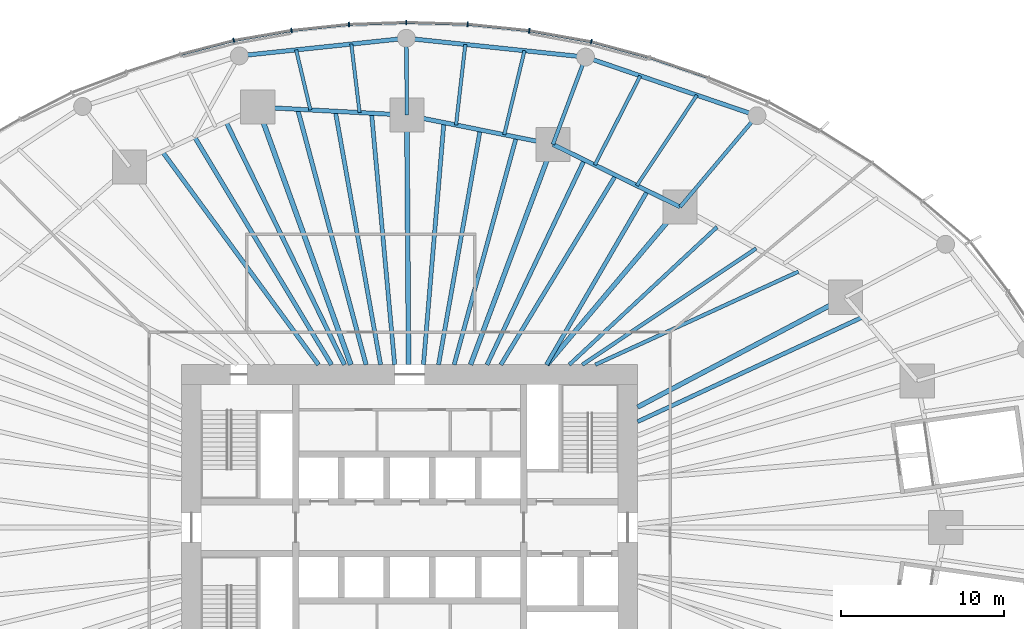
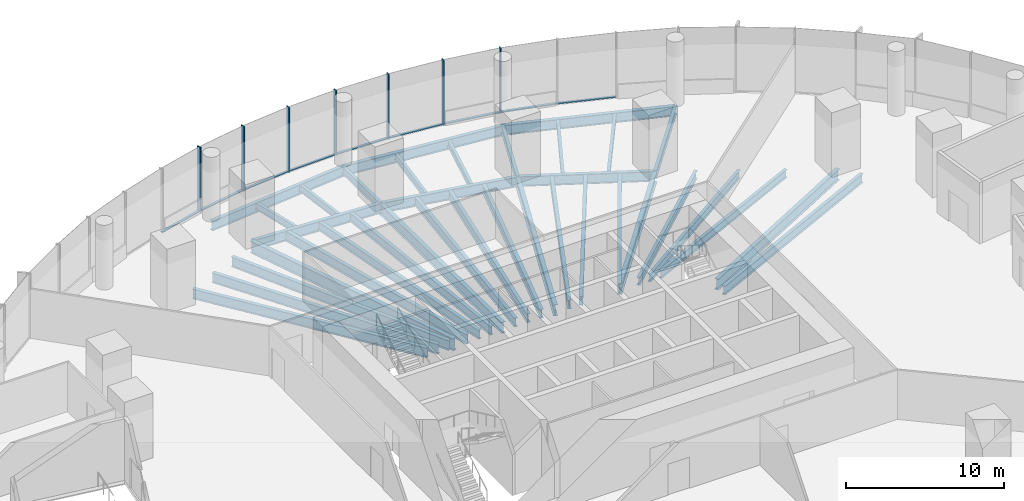
# One storey, part 6 of 27: 36 beams, 16 members, 4 elements without a shape of their own.
"""IFC4 building model written with IfcOpenShell, lengths in metres."""

import ifcopenshell
import ifcopenshell.guid

model = None  # the IFC model being written
_history = None  # IfcOwnerHistory: only IFC2X3 demands one
_inside = {}  # id of a spatial element -> (the spatial element, [elements in it])
_under = {}  # id of a project, library or spatial element -> (it, [spatial elements below it])
_declared = {}  # id of a project -> (the project, [libraries it declares])
_typed = {}  # id of a type object -> (the type object, [elements of that type])
_made_of = {}  # id of a material, layer set ... -> (it, [elements and type objects made of it])


def new_model(schema):
    """Start an empty IFC model of exactly this schema.

    Asked for "IFC4X3", IfcOpenShell would pick the latest addendum, in which some entities
    have other attributes; the version numbers below select the first issue.
    IFC2X3 requires an IfcOwnerHistory on every rooted entity: one is made here for all.
    """
    global model, _history
    if schema == "IFC4X3":
        model = ifcopenshell.file(schema_version=(4, 3, 0, 0))
    else:
        model = ifcopenshell.file(schema=schema)
    _inside.clear()
    _under.clear()
    _declared.clear()
    _typed.clear()
    _made_of.clear()
    _history = None
    if model.schema == "IFC2X3":
        org = make("IfcOrganization", Name="unknown")
        user = make(
            "IfcPersonAndOrganization",
            ThePerson=make("IfcPerson", FamilyName="unknown"),
            TheOrganization=org,
        )
        app = make(
            "IfcApplication",
            ApplicationDeveloper=org,
            Version="unknown",
            ApplicationFullName="unknown",
            ApplicationIdentifier="unknown",
        )
        _history = make(
            "IfcOwnerHistory",
            OwningUser=user,
            OwningApplication=app,
            ChangeAction="ADDED",
            CreationDate=0,
        )
    return model


def make(cls, **values):
    """One entity of the class cls with the attributes given. An attribute that is None is left unset."""
    return model.create_entity(
        cls, **{name: value for name, value in values.items() if value is not None}
    )


def rooted(cls, **values):
    """An entity with a GlobalId (a new one), such as an element, a storey or a relation."""
    return make(cls, GlobalId=ifcopenshell.guid.new(), OwnerHistory=_history, **values)


def si_unit(unit_type, name, prefix=None):
    """IfcSIUnit, for example si_unit("LENGTHUNIT", "METRE", prefix="MILLI")."""
    return make("IfcSIUnit", UnitType=unit_type, Prefix=prefix, Name=name)


def assignment(units):
    """IfcUnitAssignment: the units of a project."""
    return None if units is None else make("IfcUnitAssignment", Units=units)


def point(xyz):
    """IfcCartesianPoint."""
    return None if xyz is None else make("IfcCartesianPoint", Coordinates=xyz)


def direction(xyz):
    """IfcDirection."""
    return None if xyz is None else make("IfcDirection", DirectionRatios=xyz)


def frame(location, z_axis=None, x_axis=None):
    """IfcAxis2Placement3D, a coordinate frame: its origin and axes. An axis left out is left unset."""
    return make(
        "IfcAxis2Placement3D",
        Location=point(location),
        Axis=direction(z_axis),
        RefDirection=direction(x_axis),
    )


def frame_2d(location, x_axis=None):
    """IfcAxis2Placement2D, a coordinate frame in the plane: its origin and x axis."""
    return make(
        "IfcAxis2Placement2D", Location=point(location), RefDirection=direction(x_axis)
    )


def origin():
    """The frame at (0, 0, 0) with its axes left unset."""
    return frame((0.0, 0.0, 0.0))


def origin_2d():
    """The frame at (0, 0) in the plane with its x axis left unset."""
    return frame_2d((0.0, 0.0))


def place(relative_to, where):
    """IfcLocalPlacement: puts the frame where relative to a parent placement (None: the world)."""
    return make(
        "IfcLocalPlacement", PlacementRelTo=relative_to, RelativePlacement=where
    )


def context(
    kind, dimensions, precision=None, world=None, true_north=None, identifier=None
):
    """IfcGeometricRepresentationContext, for example the 3D "Model" context."""
    return make(
        "IfcGeometricRepresentationContext",
        ContextIdentifier=identifier,
        ContextType=kind,
        CoordinateSpaceDimension=dimensions,
        Precision=precision,
        WorldCoordinateSystem=world,
        TrueNorth=true_north,
    )


def subcontext(parent, identifier, kind, view, scale=None):
    """IfcGeometricRepresentationSubContext, for example "Body" below "Model"."""
    return make(
        "IfcGeometricRepresentationSubContext",
        ContextIdentifier=identifier,
        ContextType=kind,
        ParentContext=parent,
        TargetScale=scale,
        TargetView=view,
    )


def project(units=None, contexts=None):
    """IfcProject with its units and contexts."""
    return rooted(
        "IfcProject",
        Name="project",
        RepresentationContexts=contexts,
        UnitsInContext=assignment(units),
    )


def spatial(cls, under=None, at=None, **own):
    """A site, building, storey or space (cls), placed at a placement, below another one or the project."""
    s = rooted(cls, ObjectPlacement=at, **own)
    if under is not None:
        _under.setdefault(under.id(), (under, []))[1].append(s)
    return s


def profile(cls, at=None, kind="AREA", **sizes):
    """A parametric profile (cls). Its sizes go by their IFC names, for example OverallWidth=200.0."""
    return make(cls, ProfileType=kind, Position=at, **sizes)


def rectangle(**sizes):
    """IfcRectangleProfileDef."""
    return profile("IfcRectangleProfileDef", **sizes)


def i_section(**sizes):
    """IfcIShapeProfileDef."""
    return profile("IfcIShapeProfileDef", **sizes)


def extrude(swept, where, along, depth):
    """IfcExtrudedAreaSolid: the profile swept, set in the frame where, extruded along a direction by depth."""
    return make(
        "IfcExtrudedAreaSolid",
        SweptArea=swept,
        Position=where,
        ExtrudedDirection=direction(along),
        Depth=depth,
    )


def shape(context_of_items, identifier, shape_type, items):
    """IfcShapeRepresentation: the items that make up one representation, for example the "Body"."""
    return make(
        "IfcShapeRepresentation",
        ContextOfItems=context_of_items,
        RepresentationIdentifier=identifier,
        RepresentationType=shape_type,
        Items=items,
    )


def material(Name=None, Category=None):
    """IfcMaterial."""
    return make("IfcMaterial", Name=Name, Category=Category)


def material_profile(
    of_material, cross_section, Name=None, Category=None, Priority=None
):
    """IfcMaterialProfile: a cross section and its material."""
    return make(
        "IfcMaterialProfile",
        Name=Name,
        Material=of_material,
        Profile=cross_section,
        Priority=Priority,
        Category=Category,
    )


def profile_set(profiles, Name=None, composite=None):
    """IfcMaterialProfileSet."""
    return make(
        "IfcMaterialProfileSet",
        Name=Name,
        MaterialProfiles=profiles,
        CompositeProfile=composite,
    )


def made_of(thing, what):
    """Note that an element or type object is made of a material, layer set ...; save() writes the relation."""
    if what is not None:
        _made_of.setdefault(what.id(), (what, []))[1].append(thing)
    return thing


def type_object(cls, material=None, **own):
    """A type object (cls), such as IfcWallType, which elements share."""
    return made_of(rooted(cls, **own), material)


def element(
    cls,
    number,
    at=None,
    inside=None,
    cuts=None,
    type_object=None,
    material=None,
    context=None,
    identifier="Body",
    shape_type=None,
    held_by="IfcProductDefinitionShape",
    body=None,
    shapes=None,
    **own,
):
    """One element of the class cls, such as IfcWall. Its Tag is "e" and its number.

    at: its placement. inside: the storey or other place that contains it. cuts: it is an
    opening in that element (IfcRelVoidsElement). A single representation is given by context,
    identifier, shape_type and body (its items); several are given by shapes. held_by: the class
    of the entity that holds the representations. save() writes the other relations.
    """
    e = rooted(cls, Tag="e%d" % number, ObjectPlacement=at, **own)
    if body is not None:
        shapes = [shape(context, identifier, shape_type, body)]
    if shapes is not None:
        e.Representation = make(held_by, Representations=shapes)
    if inside is not None:
        _inside.setdefault(inside.id(), (inside, []))[1].append(e)
    if cuts is not None:
        rooted(
            "IfcRelVoidsElement", RelatingBuildingElement=cuts, RelatedOpeningElement=e
        )
    if type_object is not None:
        _typed.setdefault(type_object.id(), (type_object, []))[1].append(e)
    return made_of(e, material)


def aggregate(whole, parts):
    """IfcRelAggregates: a whole, such as a stair, and the parts it consists of."""
    return rooted("IfcRelAggregates", RelatingObject=whole, RelatedObjects=parts)


def save(model, path):
    """Write the relations noted so far, then the file.

    IfcRelAggregates (storeys below a building ...), IfcRelContainedInSpatialStructure (elements
    in a storey), IfcRelDefinesByType, IfcRelAssociatesMaterial and IfcRelDeclares: one each for
    every whole, place, type object, material and project.
    """
    for whole, parts in _under.values():
        aggregate(whole, parts)
    for where, things in _inside.values():
        rooted(
            "IfcRelContainedInSpatialStructure",
            RelatedElements=things,
            RelatingStructure=where,
        )
    for kind, things in _typed.values():
        rooted("IfcRelDefinesByType", RelatedObjects=things, RelatingType=kind)
    for what, things in _made_of.values():
        rooted("IfcRelAssociatesMaterial", RelatedObjects=things, RelatingMaterial=what)
    for by, libraries in _declared.values():
        rooted("IfcRelDeclares", RelatingContext=by, RelatedDefinitions=libraries)
    model.write(path)


model = new_model("IFC4")

# Units and contexts
model_context = context("Model", 3, precision=1e-05, world=origin(), true_north=direction((0.0, 1.0)))
body_context = subcontext(model_context, "Body", "Model", "MODEL_VIEW")
ifc_project = project(units=[si_unit("LENGTHUNIT", "METRE"), si_unit("AREAUNIT", "SQUARE_METRE"), si_unit("VOLUMEUNIT", "CUBIC_METRE"), si_unit("PLANEANGLEUNIT", "RADIAN"), si_unit("MASSUNIT", "GRAM", prefix="KILO")], contexts=[model_context])

# Site, building, storey
site_placement = place(None, origin())
site = spatial("IfcSite", under=ifc_project, at=site_placement, CompositionType="ELEMENT")
building_placement = place(site_placement, origin())
building = spatial("IfcBuilding", under=site, at=building_placement, Name="Ghaith Harvest Tower", CompositionType="ELEMENT")
storey_placement = place(building_placement, frame((0.0, 0.0, 10.0)))
storey = spatial("IfcBuildingStorey", under=building, at=storey_placement, Name="L02", CompositionType="ELEMENT", Elevation=10.0)

# Curtain wall, members
ifc_material_1 = material(Name="Black anodised aluminium and fritted glass", Category="aluminium")
curtain_wall_type = type_object("IfcCurtainWallType", Name="CW-P CURTAIN WALL", PredefinedType="NOTDEFINED", material=ifc_material_1)
curtain_wall_1_placement = place(storey_placement, origin())
curtain_wall_1 = element("IfcCurtainWall", 1, at=curtain_wall_1_placement, inside=storey, type_object=curtain_wall_type, Name="Curtain wall CW-P bay 05 L02", PredefinedType="NOTDEFINED")
ifc_material_2 = material(Name="Aluminium, black anodised", Category="aluminium")
ifc_material_profile_1 = material_profile(ifc_material_2, rectangle(XDim=0.080078125, YDim=0.300048828125, at=origin_2d()), Name="CW-P MULLION 80x300")
ifc_profile_set_1 = profile_set([ifc_material_profile_1], Name="Aluminium, black anodised")
member_type_1 = type_object("IfcMemberType", Name="CW-P MULLION 80x300", PredefinedType="MULLION", material=ifc_profile_set_1)
member_1_placement = place(storey_placement, frame((11.15234375, 29.832275390625, 0.0), z_axis=(0.0, 0.0, 1.0), x_axis=(-0.975988069156, 0.217823985973, 0.0)))
member_1 = element("IfcMember", 2, at=member_1_placement, type_object=member_type_1, Name="CW-P mullion 1 bay 05 L02", PredefinedType="MULLION", context=body_context, shape_type="SweptSolid", body=[
    extrude(rectangle(XDim=0.080078125, YDim=0.300048828125, at=origin_2d()), origin(), (0.0, 0.0, 1.0), 5.0),
])
member_2_placement = place(storey_placement, frame((7.34521484375, 30.514404296875, 0.0), z_axis=(0.0, 0.0, 1.0), x_axis=(-0.990090087046, 0.140433683755, 0.0)))
member_2 = element("IfcMember", 3, at=member_2_placement, type_object=member_type_1, Name="CW-P mullion 2 bay 05 L02", PredefinedType="MULLION", context=body_context, shape_type="SweptSolid", body=[
    extrude(rectangle(XDim=0.080078125, YDim=0.300048828125, at=origin_2d()), origin(), (0.0, 0.0, 1.0), 5.0),
])
member_3_placement = place(storey_placement, frame((3.560546875, 30.908935546875, 0.0), z_axis=(0.0, 0.0, 1.0), x_axis=(-0.997771996007, 0.066716144852, 0.0)))
member_3 = element("IfcMember", 4, at=member_3_placement, type_object=member_type_1, Name="CW-P mullion 3 bay 05 L02", PredefinedType="MULLION", context=body_context, shape_type="SweptSolid", body=[
    extrude(rectangle(XDim=0.080078125, YDim=0.300048828125, at=origin_2d()), origin(), (0.0, 0.0, 1.0), 5.0),
])

curtain_wall_2_placement = place(storey_placement, origin())
curtain_wall_2 = element("IfcCurtainWall", 5, at=curtain_wall_2_placement, inside=storey, type_object=curtain_wall_type, Name="Curtain wall CW-P bay 06 L02", PredefinedType="NOTDEFINED")
member_4_placement = place(storey_placement, frame((-0.21240234375, 31.019775390625, 0.0), z_axis=(0.0, 0.0, 1.0), x_axis=(-0.999998805287, -0.001545776643, 0.0)))
member_4 = element("IfcMember", 6, at=member_4_placement, type_object=member_type_1, Name="CW-P mullion 1 bay 06 L02", PredefinedType="MULLION", context=body_context, shape_type="SweptSolid", body=[
    extrude(rectangle(XDim=0.080078125, YDim=0.300048828125, at=origin_2d()), origin(), (0.0, 0.0, 1.0), 5.0),
])
member_5_placement = place(storey_placement, frame((-3.728515625, 30.897705078125, 0.0), z_axis=(0.0, 0.0, 1.0), x_axis=(-0.997563976527, -0.069757528158, 0.0)))
member_5 = element("IfcMember", 7, at=member_5_placement, type_object=member_type_1, Name="CW-P mullion 2 bay 06 L02", PredefinedType="MULLION", context=body_context, shape_type="SweptSolid", body=[
    extrude(rectangle(XDim=0.080078125, YDim=0.300048828125, at=origin_2d()), origin(), (0.0, 0.0, 1.0), 5.0),
])
member_6_placement = place(storey_placement, frame((-7.255615234375, 30.527099609375, 0.0), z_axis=(0.0, 0.0, 1.0), x_axis=(-0.990385532567, -0.138334727678, 0.0)))
member_6 = element("IfcMember", 8, at=member_6_placement, type_object=member_type_1, Name="CW-P mullion 3 bay 06 L02", PredefinedType="MULLION", context=body_context, shape_type="SweptSolid", body=[
    extrude(rectangle(XDim=0.080078125, YDim=0.300048828125, at=origin_2d()), origin(), (0.0, 0.0, 1.0), 5.0),
])

# Curtain wall, member
curtain_wall_3_placement = place(storey_placement, origin())
curtain_wall_3 = element("IfcCurtainWall", 9, at=curtain_wall_3_placement, inside=storey, type_object=curtain_wall_type, Name="Curtain wall CW-P bay 07 L02", PredefinedType="NOTDEFINED")
member_7_placement = place(storey_placement, frame((-10.802734375, 29.90966796875, 0.0), z_axis=(0.0, 0.0, 1.0), x_axis=(-0.97763881299, -0.21029111093, 0.0)))
member_7 = element("IfcMember", 10, at=member_7_placement, type_object=member_type_1, Name="CW-P mullion 1 bay 07 L02", PredefinedType="MULLION", context=body_context, shape_type="SweptSolid", body=[
    extrude(rectangle(XDim=0.080078125, YDim=0.300048828125, at=origin_2d()), origin(), (0.0, 0.0, 1.0), 5.0),
])

# Curtain wall, members
curtain_wall_4_placement = place(storey_placement, origin())
curtain_wall_4 = element("IfcCurtainWall", 11, at=curtain_wall_4_placement, inside=storey, type_object=curtain_wall_type, Name="Curtain wall CW-P bay 04 L02", PredefinedType="NOTDEFINED")
ifc_material_3 = material(Name="Aluminium, black anodised", Category="aluminium")
ifc_material_profile_2 = material_profile(ifc_material_3, rectangle(XDim=0.179931640625, YDim=0.080078125, at=origin_2d()), Name="CW-P TRANSOM 180x80")
ifc_profile_set_2 = profile_set([ifc_material_profile_2], Name="Aluminium, black anodised")
member_type_2 = type_object("IfcMemberType", Name="CW-P TRANSOM 180x80", PredefinedType="USERDEFINED", material=ifc_profile_set_2)
member_8_placement = place(storey_placement, frame((18.3095703125, 27.6357421875, 0.0400390625), z_axis=(-0.945637034145, 0.325223922328, 0.0), x_axis=(-0.325223922328, -0.945637034145, 0.0)))
member_8 = element("IfcMember", 12, at=member_8_placement, type_object=member_type_2, Name="CW-P transom 2 bay 04 L02", ObjectType="TRANSOM", PredefinedType="USERDEFINED", context=body_context, shape_type="SweptSolid", body=[
    extrude(rectangle(XDim=0.179931640625, YDim=0.080078125, at=origin_2d()), origin(), (0.0, 0.0, 1.0), 3.7392578125),
])
member_9_placement = place(storey_placement, frame((14.697265625, 28.875244140625, 0.0400390625), z_axis=(-0.965441599802, 0.260619487706, 0.0), x_axis=(-0.260619487706, -0.965441599802, 0.0)))
member_9 = element("IfcMember", 13, at=member_9_placement, type_object=member_type_2, Name="CW-P transom 3 bay 04 L02", ObjectType="TRANSOM", PredefinedType="USERDEFINED", context=body_context, shape_type="SweptSolid", body=[
    extrude(rectangle(XDim=0.179931640625, YDim=0.080078125, at=origin_2d()), origin(), (0.0, 0.0, 1.0), 3.6318359375),
])
aggregate(curtain_wall_4, [member_8, member_9])

# Member
member_10_placement = place(storey_placement, frame((11.113037109375, 29.83935546875, 0.0400390625), z_axis=(-0.98432862906, 0.176343840303, 0.0), x_axis=(-0.176343840303, -0.98432862906, 0.0)))
member_10 = element("IfcMember", 14, at=member_10_placement, type_object=member_type_2, Name="CW-P transom 1 bay 05 L02", ObjectType="TRANSOM", PredefinedType="USERDEFINED", context=body_context, shape_type="SweptSolid", body=[
    extrude(rectangle(XDim=0.179931640625, YDim=0.080078125, at=origin_2d()), origin(), (0.0, 0.0, 1.0), 3.787841796875),
])

member_11_placement = place(storey_placement, frame((7.305419921875, 30.5185546875, 0.0400390625), z_axis=(-0.994610526776, 0.103681724655, 0.0), x_axis=(-0.103681724655, -0.994610526776, 0.0)))
member_11 = element("IfcMember", 15, at=member_11_placement, type_object=member_type_2, Name="CW-P transom 2 bay 05 L02", ObjectType="TRANSOM", PredefinedType="USERDEFINED", context=body_context, shape_type="SweptSolid", body=[
    extrude(rectangle(XDim=0.179931640625, YDim=0.080078125, at=origin_2d()), origin(), (0.0, 0.0, 1.0), 3.72509765625),
])

member_12_placement = place(storey_placement, frame((3.5205078125, 30.91015625, 0.0400390625), z_axis=(-0.999569466238, 0.029340793535, 0.0), x_axis=(-0.029340793535, -0.999569466238, 0.0)))
member_12 = element("IfcMember", 16, at=member_12_placement, type_object=member_type_2, Name="CW-P transom 3 bay 05 L02", ObjectType="TRANSOM", PredefinedType="USERDEFINED", context=body_context, shape_type="SweptSolid", body=[
    extrude(rectangle(XDim=0.179931640625, YDim=0.080078125, at=origin_2d()), origin(), (0.0, 0.0, 1.0), 3.694580078125),
])

aggregate(curtain_wall_1, [member_1, member_10, member_2, member_11, member_3, member_12])

member_13_placement = place(storey_placement, frame((-0.252197265625, 31.018310546875, 0.0400390625), z_axis=(-0.999399573499, -0.034648123889, 0.0), x_axis=(0.034648123889, -0.999399573499, 0.0)))
member_13 = element("IfcMember", 17, at=member_13_placement, type_object=member_type_2, Name="CW-P transom 1 bay 06 L02", ObjectType="TRANSOM", PredefinedType="USERDEFINED", context=body_context, shape_type="SweptSolid", body=[
    extrude(rectangle(XDim=0.179931640625, YDim=0.080078125, at=origin_2d()), origin(), (0.0, 0.0, 1.0), 3.4384765625),
])

member_14_placement = place(storey_placement, frame((-3.768310546875, 30.8935546875, 0.0400390625), z_axis=(-0.994523190506, -0.104516140125, 0.0), x_axis=(0.104516140125, -0.994523190506, 0.0)))
member_14 = element("IfcMember", 18, at=member_14_placement, type_object=member_type_2, Name="CW-P transom 2 bay 06 L02", ObjectType="TRANSOM", PredefinedType="USERDEFINED", context=body_context, shape_type="SweptSolid", body=[
    extrude(rectangle(XDim=0.179931640625, YDim=0.080078125, at=origin_2d()), origin(), (0.0, 0.0, 1.0), 3.466552734375),
])

member_15_placement = place(storey_placement, frame((-7.294921875, 30.520263671875, 0.0400390625), z_axis=(-0.985183747241, -0.171502140429, 0.0), x_axis=(0.171502140429, -0.985183747241, 0.0)))
member_15 = element("IfcMember", 19, at=member_15_placement, type_object=member_type_2, Name="CW-P transom 3 bay 06 L02", ObjectType="TRANSOM", PredefinedType="USERDEFINED", context=body_context, shape_type="SweptSolid", body=[
    extrude(rectangle(XDim=0.179931640625, YDim=0.080078125, at=origin_2d()), origin(), (0.0, 0.0, 1.0), 3.5205078125),
])

aggregate(curtain_wall_2, [member_4, member_13, member_5, member_14, member_6, member_15])

member_16_placement = place(storey_placement, frame((-10.84130859375, 29.899658203125, 0.0400390625), z_axis=(-0.967935730802, -0.251197971801, 0.0), x_axis=(0.251197971801, -0.967935730802, 0.0)))
member_16 = element("IfcMember", 20, at=member_16_placement, type_object=member_type_2, Name="CW-P transom 1 bay 07 L02", ObjectType="TRANSOM", PredefinedType="USERDEFINED", context=body_context, shape_type="SweptSolid", body=[
    extrude(rectangle(XDim=0.179931640625, YDim=0.080078125, at=origin_2d()), origin(), (0.0, 0.0, 1.0), 3.305419921875),
])

aggregate(curtain_wall_3, [member_7, member_16])

# Beams
ifc_material_4 = material(Name="Steel ASTM A992 Grade 50", Category="steel")
ifc_material_profile_3 = material_profile(ifc_material_4, i_section(OverallWidth=0.26806640625, OverallDepth=0.77001953125, WebThickness=0.015625, FlangeThickness=0.025390625, at=origin_2d()), Name="W760X196")
ifc_profile_set_3 = profile_set([ifc_material_profile_3], Name="Steel ASTM A992 Grade 50")
beam_type_1 = type_object("IfcBeamType", Name="E760-196 W760X196", PredefinedType="SPANDREL", material=ifc_profile_set_3)
beam_1_placement = place(storey_placement, frame((16.60791015625, 19.695068359375, -0.635009765625), z_axis=(-0.897823733825, 0.440355019252, 0.0), x_axis=(-0.440355019252, -0.897823733825, 0.0)))
element("IfcBeam", 21, at=beam_1_placement, inside=storey, type_object=beam_type_1, Name="Edge beam E04 L02", PredefinedType="SPANDREL", context=body_context, shape_type="SweptSolid", body=[
    extrude(i_section(OverallWidth=0.26806640625, OverallDepth=0.77001953125, WebThickness=0.015625, FlangeThickness=0.025390625, at=origin_2d()), origin(), (0.0, 0.0, 1.0), 8.7021484375),
])
beam_2_placement = place(storey_placement, frame((8.794921875, 23.527099609375, -0.635009765625), z_axis=(-0.980450082464, 0.196767974517, 0.0), x_axis=(-0.196767974517, -0.980450082464, 0.0)))
element("IfcBeam", 22, at=beam_2_placement, inside=storey, type_object=beam_type_1, Name="Edge beam E05 L02", PredefinedType="SPANDREL", context=body_context, shape_type="SweptSolid", body=[
    extrude(i_section(OverallWidth=0.26806640625, OverallDepth=0.77001953125, WebThickness=0.015625, FlangeThickness=0.025390625, at=origin_2d()), origin(), (0.0, 0.0, 1.0), 9.146728515625),
])
beam_3_placement = place(storey_placement, frame((-0.173095703125, 25.326904296875, -0.635009765625), z_axis=(-0.998545840532, 0.053909223293, 0.0), x_axis=(-0.053909223293, -0.998545840532, 0.0)))
element("IfcBeam", 23, at=beam_3_placement, inside=storey, type_object=beam_type_1, Name="Edge beam E06 L02", PredefinedType="SPANDREL", context=body_context, shape_type="SweptSolid", body=[
    extrude(i_section(OverallWidth=0.26806640625, OverallDepth=0.77001953125, WebThickness=0.015625, FlangeThickness=0.025390625, at=origin_2d()), origin(), (0.0, 0.0, 1.0), 9.166259765625),
])
beam_4_placement = place(storey_placement, frame((21.327880859375, 25.2919921875, -0.635009765625), z_axis=(-0.946196876199, 0.323591519468, 0.0), x_axis=(-0.323591519468, -0.946196876199, 0.0)))
element("IfcBeam", 24, at=beam_4_placement, inside=storey, type_object=beam_type_1, Name="Podium edge beam PE04 L02", PredefinedType="SPANDREL", context=body_context, shape_type="SweptSolid", body=[
    extrude(i_section(OverallWidth=0.26806640625, OverallDepth=0.77001953125, WebThickness=0.015625, FlangeThickness=0.025390625, at=origin_2d()), origin(), (0.0, 0.0, 1.0), 11.12548828125),
])
beam_5_placement = place(storey_placement, frame((10.801025390625, 28.89208984375, -0.635009765625), z_axis=(-0.994521034138, 0.104536656999, 0.0), x_axis=(-0.104536656999, -0.994521034138, 0.0)))
element("IfcBeam", 25, at=beam_5_placement, inside=storey, type_object=beam_type_1, Name="Podium edge beam PE05 L02", PredefinedType="SPANDREL", context=body_context, shape_type="SweptSolid", body=[
    extrude(i_section(OverallWidth=0.26806640625, OverallDepth=0.77001953125, WebThickness=0.015625, FlangeThickness=0.025390625, at=origin_2d()), origin(), (0.0, 0.0, 1.0), 11.067626953125),
])
beam_6_placement = place(storey_placement, frame((-0.2060546875, 30.049072265625, -0.635009765625), z_axis=(-0.994480518853, -0.10492138782, 0.0), x_axis=(0.10492138782, -0.994480518853, 0.0)))
element("IfcBeam", 26, at=beam_6_placement, inside=storey, type_object=beam_type_1, Name="Podium edge beam PE06 L02", PredefinedType="SPANDREL", context=body_context, shape_type="SweptSolid", body=[
    extrude(i_section(OverallWidth=0.26806640625, OverallDepth=0.77001953125, WebThickness=0.015625, FlangeThickness=0.025390625, at=origin_2d()), origin(), (0.0, 0.0, 1.0), 10.312744140625),
])
ifc_material_5 = material(Name="Steel ASTM A992 Grade 50", Category="steel")
ifc_material_profile_4 = material_profile(ifc_material_5, i_section(OverallWidth=0.22802734375, OverallDepth=0.60302734375, WebThickness=0.010498046875, FlangeThickness=0.014892578125, at=origin_2d()), Name="W610X101")
ifc_profile_set_4 = profile_set([ifc_material_profile_4], Name="Steel ASTM A992 Grade 50")
beam_type_2 = type_object("IfcBeamType", Name="G610-101 W610X101", PredefinedType="BEAM", material=ifc_profile_set_4)
beam_7_placement = place(storey_placement, frame((16.60791015625, 19.695068359375, -0.551513671875), z_axis=(0.644676739739, 0.764455297084, 0.0), x_axis=(-0.764455297084, 0.644676739739, 0.0)))
element("IfcBeam", 27, at=beam_7_placement, inside=storey, type_object=beam_type_2, Name="Podium radial beam PR04 L02", PredefinedType="BEAM", context=body_context, shape_type="SweptSolid", body=[
    extrude(i_section(OverallWidth=0.22802734375, OverallDepth=0.60302734375, WebThickness=0.010498046875, FlangeThickness=0.014892578125, at=origin_2d()), origin(), (0.0, 0.0, 1.0), 7.321533203125),
])
beam_8_placement = place(storey_placement, frame((8.794921875, 23.527099609375, -0.551513671875), z_axis=(0.350240445637, 0.936659826319, 0.0), x_axis=(-0.936659826319, 0.350240445637, 0.0)))
element("IfcBeam", 28, at=beam_8_placement, inside=storey, type_object=beam_type_2, Name="Podium radial beam PR05 L02", PredefinedType="BEAM", context=body_context, shape_type="SweptSolid", body=[
    extrude(i_section(OverallWidth=0.22802734375, OverallDepth=0.60302734375, WebThickness=0.010498046875, FlangeThickness=0.014892578125, at=origin_2d()), origin(), (0.0, 0.0, 1.0), 5.727783203125),
])
beam_9_placement = place(storey_placement, frame((-0.173095703125, 25.326904296875, -0.551513671875), z_axis=(-0.00697945982, 0.999975643274, 0.0), x_axis=(-0.999975643274, -0.00697945982, 0.0)))
element("IfcBeam", 29, at=beam_9_placement, inside=storey, type_object=beam_type_2, Name="Podium radial beam PR06 L02", PredefinedType="BEAM", context=body_context, shape_type="SweptSolid", body=[
    extrude(i_section(OverallWidth=0.22802734375, OverallDepth=0.60302734375, WebThickness=0.010498046875, FlangeThickness=0.014892578125, at=origin_2d()), origin(), (0.0, 0.0, 1.0), 4.72216796875),
])
ifc_material_6 = material(Name="Steel ASTM A992 Grade 50", Category="steel")
ifc_material_profile_5 = material_profile(ifc_material_6, i_section(OverallWidth=0.2939453125, OverallDepth=0.85107421875, WebThickness=0.01611328125, FlangeThickness=0.02685546875, at=origin_2d()), Name="W840X226")
ifc_profile_set_5 = profile_set([ifc_material_profile_5], Name="Steel ASTM A992 Grade 50")
beam_type_3 = type_object("IfcBeamType", Name="G840-226 W840X226", PredefinedType="BEAM", material=ifc_profile_set_5)
beam_10_placement = place(storey_placement, frame((14.0, 7.39990234375, -0.675537109375), z_axis=(0.884082663971, 0.467330550324, 0.0), x_axis=(-0.467330550324, 0.884082663971, 0.0)))
element("IfcBeam", 30, at=beam_10_placement, inside=storey, type_object=beam_type_3, Name="Radial girder G03 L02", PredefinedType="BEAM", context=body_context, shape_type="SweptSolid", body=[
    extrude(i_section(OverallWidth=0.2939453125, OverallDepth=0.85107421875, WebThickness=0.01611328125, FlangeThickness=0.02685546875, at=origin_2d()), origin(), (0.0, 0.0, 1.0), 14.4375),
])
beam_11_placement = place(storey_placement, frame((8.4326171875, 10.0, -0.675537109375), z_axis=(0.644644245772, 0.764482698557, 0.0), x_axis=(-0.764482698557, 0.644644245772, 0.0)))
element("IfcBeam", 31, at=beam_11_placement, inside=storey, type_object=beam_type_3, Name="Radial girder G04 L02", PredefinedType="BEAM", context=body_context, shape_type="SweptSolid", body=[
    extrude(i_section(OverallWidth=0.2939453125, OverallDepth=0.85107421875, WebThickness=0.01611328125, FlangeThickness=0.02685546875, at=origin_2d()), origin(), (0.0, 0.0, 1.0), 12.681884765625),
])
beam_12_placement = place(storey_placement, frame((3.73828125, 10.0, -0.675537109375), z_axis=(0.350150596156, 0.936693418367, 0.0), x_axis=(-0.936693418367, 0.350150596156, 0.0)))
element("IfcBeam", 32, at=beam_12_placement, inside=storey, type_object=beam_type_3, Name="Radial girder G05 L02", PredefinedType="BEAM", context=body_context, shape_type="SweptSolid", body=[
    extrude(i_section(OverallWidth=0.2939453125, OverallDepth=0.85107421875, WebThickness=0.01611328125, FlangeThickness=0.02685546875, at=origin_2d()), origin(), (0.0, 0.0, 1.0), 14.44140625),
])
beam_13_placement = place(storey_placement, frame((-0.068359375, 10.0, -0.675537109375), z_axis=(-0.006833335732, 0.999976652489, 0.0), x_axis=(-0.999976652489, -0.006833335732, 0.0)))
element("IfcBeam", 33, at=beam_13_placement, inside=storey, type_object=beam_type_3, Name="Radial girder G06 L02", PredefinedType="BEAM", context=body_context, shape_type="SweptSolid", body=[
    extrude(i_section(OverallWidth=0.2939453125, OverallDepth=0.85107421875, WebThickness=0.01611328125, FlangeThickness=0.02685546875, at=origin_2d()), origin(), (0.0, 0.0, 1.0), 15.3271484375),
])
ifc_material_7 = material(Name="Steel ASTM A992 Grade 50", Category="steel")
ifc_material_profile_6 = material_profile(ifc_material_7, i_section(OverallWidth=0.31005859375, OverallDepth=0.927001953125, WebThickness=0.019287109375, FlangeThickness=0.031982421875, at=origin_2d()), Name="W920X289")
ifc_profile_set_6 = profile_set([ifc_material_profile_6], Name="Steel ASTM A992 Grade 50")
beam_type_4 = type_object("IfcBeamType", Name="G920-289 W920X289", PredefinedType="BEAM", material=ifc_profile_set_6)
beam_14_placement = place(storey_placement, frame((-3.61181640625, 10.0, -0.71337890625), z_axis=(-0.339694751271, 0.940535738799, 0.0), x_axis=(-0.940535738799, -0.339694751271, 0.0)))
element("IfcBeam", 34, at=beam_14_placement, inside=storey, type_object=beam_type_4, Name="Radial girder G07 L02", PredefinedType="BEAM", context=body_context, shape_type="SweptSolid", body=[
    extrude(i_section(OverallWidth=0.31005859375, OverallDepth=0.927001953125, WebThickness=0.019287109375, FlangeThickness=0.031982421875, at=origin_2d()), origin(), (0.0, 0.0, 1.0), 16.8212890625),
])
ifc_material_8 = material(Name="Steel ASTM A992 Grade 50", Category="steel")
ifc_material_profile_7 = material_profile(ifc_material_8, i_section(OverallWidth=0.208984375, OverallDepth=0.532958984375, WebThickness=0.01025390625, FlangeThickness=0.015625, at=origin_2d()), Name="W530X92")
ifc_profile_set_7 = profile_set([ifc_material_profile_7], Name="Steel ASTM A992 Grade 50")
beam_type_5 = type_object("IfcBeamType", Name="J530-92 W530X92", PredefinedType="JOIST", material=ifc_profile_set_7)
beam_15_placement = place(storey_placement, frame((13.947998046875, 20.99951171875, -0.5166015625), z_axis=(0.553279971475, 0.832995362031, 0.0), x_axis=(-0.832995362031, 0.553279971475, 0.0)))
element("IfcBeam", 35, at=beam_15_placement, inside=storey, type_object=beam_type_5, Name="Podium joist PJ04.1 L02", PredefinedType="JOIST", context=body_context, shape_type="SweptSolid", body=[
    extrude(i_section(OverallWidth=0.208984375, OverallDepth=0.532958984375, WebThickness=0.01025390625, FlangeThickness=0.015625, at=origin_2d()), origin(), (0.0, 0.0, 1.0), 6.668212890625),
])
beam_16_placement = place(storey_placement, frame((11.366943359375, 22.265625, -0.5166015625), z_axis=(0.45469406772, 0.89064768836, 0.0), x_axis=(-0.89064768836, 0.45469406772, 0.0)))
element("IfcBeam", 36, at=beam_16_placement, inside=storey, type_object=beam_type_5, Name="Podium joist PJ04.2 L02", PredefinedType="JOIST", context=body_context, shape_type="SweptSolid", body=[
    extrude(i_section(OverallWidth=0.208984375, OverallDepth=0.532958984375, WebThickness=0.01025390625, FlangeThickness=0.015625, at=origin_2d()), origin(), (0.0, 0.0, 1.0), 6.14892578125),
])
beam_17_placement = place(storey_placement, frame((5.8076171875, 24.126708984375, -0.5166015625), z_axis=(0.234018407734, 0.972232166122, 0.0), x_axis=(-0.972232166122, 0.234018407734, 0.0)))
element("IfcBeam", 37, at=beam_17_placement, inside=storey, type_object=beam_type_5, Name="Podium joist PJ05.1 L02", PredefinedType="JOIST", context=body_context, shape_type="SweptSolid", body=[
    extrude(i_section(OverallWidth=0.208984375, OverallDepth=0.532958984375, WebThickness=0.01025390625, FlangeThickness=0.015625, at=origin_2d()), origin(), (0.0, 0.0, 1.0), 5.30712890625),
])
beam_18_placement = place(storey_placement, frame((2.84765625, 24.720703125, -0.5166015625), z_axis=(0.114417568625, 0.99343274558, 0.0), x_axis=(-0.99343274558, 0.114417568625, 0.0)))
element("IfcBeam", 38, at=beam_18_placement, inside=storey, type_object=beam_type_5, Name="Podium joist PJ05.2 L02", PredefinedType="JOIST", context=body_context, shape_type="SweptSolid", body=[
    extrude(i_section(OverallWidth=0.208984375, OverallDepth=0.532958984375, WebThickness=0.01025390625, FlangeThickness=0.015625, at=origin_2d()), origin(), (0.0, 0.0, 1.0), 4.980224609375),
])
beam_19_placement = place(storey_placement, frame((-3.0751953125, 25.483642578125, -0.5166015625), z_axis=(-0.119837775303, 0.99279348689, 0.0), x_axis=(-0.99279348689, -0.119837775303, 0.0)))
element("IfcBeam", 39, at=beam_19_placement, inside=storey, type_object=beam_type_5, Name="Podium joist PJ06.1 L02", PredefinedType="JOIST", context=body_context, shape_type="SweptSolid", body=[
    extrude(i_section(OverallWidth=0.208984375, OverallDepth=0.532958984375, WebThickness=0.01025390625, FlangeThickness=0.015625, at=origin_2d()), origin(), (0.0, 0.0, 1.0), 4.239501953125),
])
beam_20_placement = place(storey_placement, frame((-6.095703125, 25.646728515625, -0.5166015625), z_axis=(-0.231246156391, 0.972895274505, 0.0), x_axis=(-0.972895274505, -0.231246156391, 0.0)))
element("IfcBeam", 40, at=beam_20_placement, inside=storey, type_object=beam_type_5, Name="Podium joist PJ06.2 L02", PredefinedType="JOIST", context=body_context, shape_type="SweptSolid", body=[
    extrude(i_section(OverallWidth=0.208984375, OverallDepth=0.532958984375, WebThickness=0.01025390625, FlangeThickness=0.015625, at=origin_2d()), origin(), (0.0, 0.0, 1.0), 3.791259765625),
])
ifc_material_9 = material(Name="Steel ASTM A992 Grade 50", Category="steel")
ifc_material_profile_8 = material_profile(ifc_material_9, i_section(OverallWidth=0.22900390625, OverallDepth=0.612060546875, WebThickness=0.011962890625, FlangeThickness=0.01953125, at=origin_2d()), Name="W610X125")
ifc_profile_set_8 = profile_set([ifc_material_profile_8], Name="Steel ASTM A992 Grade 50")
beam_type_6 = type_object("IfcBeamType", Name="J610-125 W610X125", PredefinedType="JOIST", material=ifc_profile_set_8)
beam_21_placement = place(storey_placement, frame((11.39990234375, 10.0, -0.555908203125), z_axis=(0.909014022454, 0.416765529983, 0.0), x_axis=(-0.416765529983, 0.909014022454, 0.0)))
element("IfcBeam", 41, at=beam_21_placement, inside=storey, type_object=beam_type_6, Name="Joist J03.1 L02", PredefinedType="JOIST", context=body_context, shape_type="SweptSolid", body=[
    extrude(i_section(OverallWidth=0.22900390625, OverallDepth=0.612060546875, WebThickness=0.011962890625, FlangeThickness=0.01953125, at=origin_2d()), origin(), (0.0, 0.0, 1.0), 13.72998046875),
])
beam_22_placement = place(storey_placement, frame((10.60009765625, 10.0, -0.555908203125), z_axis=(0.831116486766, 0.556098359489, 0.0), x_axis=(-0.556098359489, 0.831116486766, 0.0)))
element("IfcBeam", 42, at=beam_22_placement, inside=storey, type_object=beam_type_6, Name="Joist J03.2 L02", PredefinedType="JOIST", context=body_context, shape_type="SweptSolid", body=[
    extrude(i_section(OverallWidth=0.22900390625, OverallDepth=0.612060546875, WebThickness=0.011962890625, FlangeThickness=0.01953125, at=origin_2d()), origin(), (0.0, 0.0, 1.0), 12.84716796875),
])
beam_23_placement = place(storey_placement, frame((9.800048828125, 10.0, -0.555908203125), z_axis=(0.731538123562, 0.681800538116, 0.0), x_axis=(-0.681800538116, 0.731538123562, 0.0)))
element("IfcBeam", 43, at=beam_23_placement, inside=storey, type_object=beam_type_6, Name="Joist J03.3 L02", PredefinedType="JOIST", context=body_context, shape_type="SweptSolid", body=[
    extrude(i_section(OverallWidth=0.22900390625, OverallDepth=0.612060546875, WebThickness=0.011962890625, FlangeThickness=0.01953125, at=origin_2d()), origin(), (0.0, 0.0, 1.0), 12.404052734375),
])
ifc_material_10 = material(Name="Steel ASTM A992 Grade 50", Category="steel")
ifc_material_profile_9 = material_profile(ifc_material_10, i_section(OverallWidth=0.25390625, OverallDepth=0.68408203125, WebThickness=0.012451171875, FlangeThickness=0.018798828125, at=origin_2d()), Name="W690X140")
ifc_profile_set_9 = profile_set([ifc_material_profile_9], Name="Steel ASTM A992 Grade 50")
beam_type_7 = type_object("IfcBeamType", Name="J690-140 W690X140", PredefinedType="JOIST", material=ifc_profile_set_9)
beam_24_placement = place(storey_placement, frame((14.0, 6.506103515625, -0.592041015625), z_axis=(0.906862619792, 0.421426374144, 0.0), x_axis=(-0.421426374144, 0.906862619792, 0.0)))
element("IfcBeam", 44, at=beam_24_placement, inside=storey, type_object=beam_type_7, Name="Joist J02.3 L02", PredefinedType="JOIST", context=body_context, shape_type="SweptSolid", body=[
    extrude(i_section(OverallWidth=0.25390625, OverallDepth=0.68408203125, WebThickness=0.012451171875, FlangeThickness=0.018798828125, at=origin_2d()), origin(), (0.0, 0.0, 1.0), 15.229736328125),
])
beam_25_placement = place(storey_placement, frame((8.39990234375, 10.0, -0.592041015625), z_axis=(0.50228574324, 0.864701701246, 0.0), x_axis=(-0.864701701246, 0.50228574324, 0.0)))
element("IfcBeam", 45, at=beam_25_placement, inside=storey, type_object=beam_type_7, Name="Joist J04.1 L02", PredefinedType="JOIST", context=body_context, shape_type="SweptSolid", body=[
    extrude(i_section(OverallWidth=0.25390625, OverallDepth=0.68408203125, WebThickness=0.012451171875, FlangeThickness=0.018798828125, at=origin_2d()), origin(), (0.0, 0.0, 1.0), 12.349365234375),
])
beam_26_placement = place(storey_placement, frame((5.60009765625, 10.0, -0.592041015625), z_axis=(0.518319612023, 0.85518698528, 0.0), x_axis=(-0.85518698528, 0.518319612023, 0.0)))
element("IfcBeam", 46, at=beam_26_placement, inside=storey, type_object=beam_type_7, Name="Joist J04.2 L02", PredefinedType="JOIST", context=body_context, shape_type="SweptSolid", body=[
    extrude(i_section(OverallWidth=0.25390625, OverallDepth=0.68408203125, WebThickness=0.012451171875, FlangeThickness=0.018798828125, at=origin_2d()), origin(), (0.0, 0.0, 1.0), 13.60546875),
])
beam_27_placement = place(storey_placement, frame((4.75, 10.0, -0.592041015625), z_axis=(0.429059675117, 0.903276145588, 0.0), x_axis=(-0.903276145588, 0.429059675117, 0.0)))
element("IfcBeam", 47, at=beam_27_placement, inside=storey, type_object=beam_type_7, Name="Joist J04.3 L02", PredefinedType="JOIST", context=body_context, shape_type="SweptSolid", body=[
    extrude(i_section(OverallWidth=0.25390625, OverallDepth=0.68408203125, WebThickness=0.012451171875, FlangeThickness=0.018798828125, at=origin_2d()), origin(), (0.0, 0.0, 1.0), 13.92724609375),
])
beam_28_placement = place(storey_placement, frame((2.73095703125, 10.0, -0.592041015625), z_axis=(0.263455282447, 0.964671609487, 0.0), x_axis=(-0.964671609487, 0.263455282447, 0.0)))
element("IfcBeam", 48, at=beam_28_placement, inside=storey, type_object=beam_type_7, Name="Joist J05.1 L02", PredefinedType="JOIST", context=body_context, shape_type="SweptSolid", body=[
    extrude(i_section(OverallWidth=0.25390625, OverallDepth=0.68408203125, WebThickness=0.012451171875, FlangeThickness=0.018798828125, at=origin_2d()), origin(), (0.0, 0.0, 1.0), 14.48974609375),
])
beam_29_placement = place(storey_placement, frame((1.772705078125, 10.0, -0.592041015625), z_axis=(0.174552574354, 0.984647855218, 0.0), x_axis=(-0.984647855218, 0.174552574354, 0.0)))
element("IfcBeam", 49, at=beam_29_placement, inside=storey, type_object=beam_type_7, Name="Joist J05.2 L02", PredefinedType="JOIST", context=body_context, shape_type="SweptSolid", body=[
    extrude(i_section(OverallWidth=0.25390625, OverallDepth=0.68408203125, WebThickness=0.012451171875, FlangeThickness=0.018798828125, at=origin_2d()), origin(), (0.0, 0.0, 1.0), 14.648193359375),
])
beam_30_placement = place(storey_placement, frame((0.844970703125, 10.0, -0.592041015625), z_axis=(0.084219252187, 0.996447247756, 0.0), x_axis=(-0.996447247756, 0.084219252187, 0.0)))
element("IfcBeam", 50, at=beam_30_placement, inside=storey, type_object=beam_type_7, Name="Joist J05.3 L02", PredefinedType="JOIST", context=body_context, shape_type="SweptSolid", body=[
    extrude(i_section(OverallWidth=0.25390625, OverallDepth=0.68408203125, WebThickness=0.012451171875, FlangeThickness=0.018798828125, at=origin_2d()), origin(), (0.0, 0.0, 1.0), 14.92333984375),
])
beam_31_placement = place(storey_placement, frame((-0.92041015625, 10.0, -0.592041015625), z_axis=(-0.091647013776, 0.995791556936, 0.0), x_axis=(-0.995791556936, -0.091647013776, 0.0)))
element("IfcBeam", 51, at=beam_31_placement, inside=storey, type_object=beam_type_7, Name="Joist J06.1 L02", PredefinedType="JOIST", context=body_context, shape_type="SweptSolid", body=[
    extrude(i_section(OverallWidth=0.25390625, OverallDepth=0.68408203125, WebThickness=0.012451171875, FlangeThickness=0.018798828125, at=origin_2d()), origin(), (0.0, 0.0, 1.0), 15.50927734375),
])
beam_32_placement = place(storey_placement, frame((-1.785888671875, 10.0, -0.592041015625), z_axis=(-0.175789035136, 0.984427861819, 0.0), x_axis=(-0.984427861819, -0.175789035136, 0.0)))
element("IfcBeam", 52, at=beam_32_placement, inside=storey, type_object=beam_type_7, Name="Joist J06.2 L02", PredefinedType="JOIST", context=body_context, shape_type="SweptSolid", body=[
    extrude(i_section(OverallWidth=0.25390625, OverallDepth=0.68408203125, WebThickness=0.012451171875, FlangeThickness=0.018798828125, at=origin_2d()), origin(), (0.0, 0.0, 1.0), 15.810302734375),
])
ifc_material_11 = material(Name="Steel ASTM A992 Grade 50", Category="steel")
ifc_material_profile_10 = material_profile(ifc_material_11, i_section(OverallWidth=0.26806640625, OverallDepth=0.77001953125, WebThickness=0.015625, FlangeThickness=0.025390625, at=origin_2d()), Name="W760X196")
ifc_profile_set_10 = profile_set([ifc_material_profile_10], Name="Steel ASTM A992 Grade 50")
beam_type_8 = type_object("IfcBeamType", Name="J760-196 W760X196", PredefinedType="JOIST", material=ifc_profile_set_10)
beam_33_placement = place(storey_placement, frame((-2.677978515625, 10.0, -0.635009765625), z_axis=(-0.258679482451, 0.965963211183, 0.0), x_axis=(-0.965963211183, -0.258679482451, 0.0)))
element("IfcBeam", 53, at=beam_33_placement, inside=storey, type_object=beam_type_8, Name="Joist J06.3 L02", PredefinedType="JOIST", context=body_context, shape_type="SweptSolid", body=[
    extrude(i_section(OverallWidth=0.26806640625, OverallDepth=0.77001953125, WebThickness=0.015625, FlangeThickness=0.025390625, at=origin_2d()), origin(), (0.0, 0.0, 1.0), 16.24169921875),
])
beam_34_placement = place(storey_placement, frame((-4.0, 10.0, -0.635009765625), z_axis=(-0.438505380705, 0.898728563635, 0.0), x_axis=(-0.898728563635, -0.438505380705, 0.0)))
element("IfcBeam", 54, at=beam_34_placement, inside=storey, type_object=beam_type_8, Name="Joist J07.1 L02", PredefinedType="JOIST", context=body_context, shape_type="SweptSolid", body=[
    extrude(i_section(OverallWidth=0.26806640625, OverallDepth=0.77001953125, WebThickness=0.015625, FlangeThickness=0.025390625, at=origin_2d()), origin(), (0.0, 0.0, 1.0), 16.592529296875),
])
beam_35_placement = place(storey_placement, frame((-4.800048828125, 10.0, -0.635009765625), z_axis=(-0.515358894704, 0.85697445099, 0.0), x_axis=(-0.85697445099, -0.515358894704, 0.0)))
element("IfcBeam", 55, at=beam_35_placement, inside=storey, type_object=beam_type_8, Name="Joist J07.2 L02", PredefinedType="JOIST", context=body_context, shape_type="SweptSolid", body=[
    extrude(i_section(OverallWidth=0.26806640625, OverallDepth=0.77001953125, WebThickness=0.015625, FlangeThickness=0.025390625, at=origin_2d()), origin(), (0.0, 0.0, 1.0), 16.34228515625),
])
beam_36_placement = place(storey_placement, frame((-5.60009765625, 10.0, -0.635009765625), z_axis=(-0.591008736068, 0.806665155992, 0.0), x_axis=(-0.806665155992, -0.591008736068, 0.0)))
element("IfcBeam", 56, at=beam_36_placement, inside=storey, type_object=beam_type_8, Name="Joist J07.3 L02", PredefinedType="JOIST", context=body_context, shape_type="SweptSolid", body=[
    extrude(i_section(OverallWidth=0.26806640625, OverallDepth=0.77001953125, WebThickness=0.015625, FlangeThickness=0.025390625, at=origin_2d()), origin(), (0.0, 0.0, 1.0), 16.22509765625),
])

save(model, "model.ifc")
